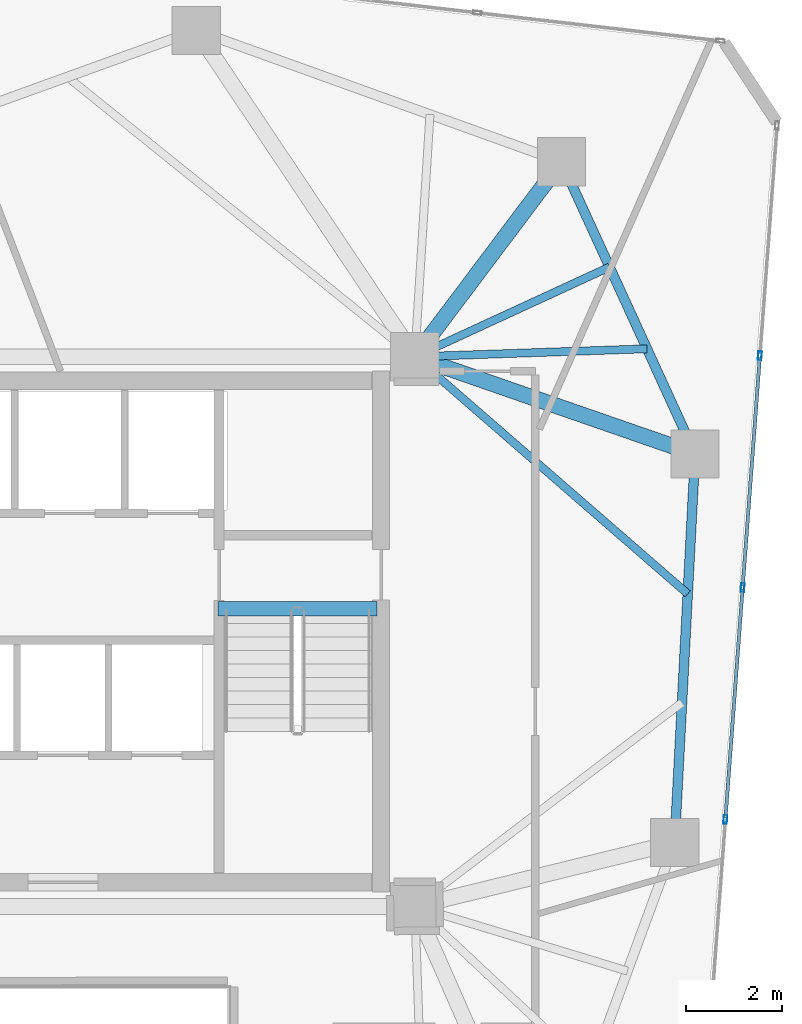
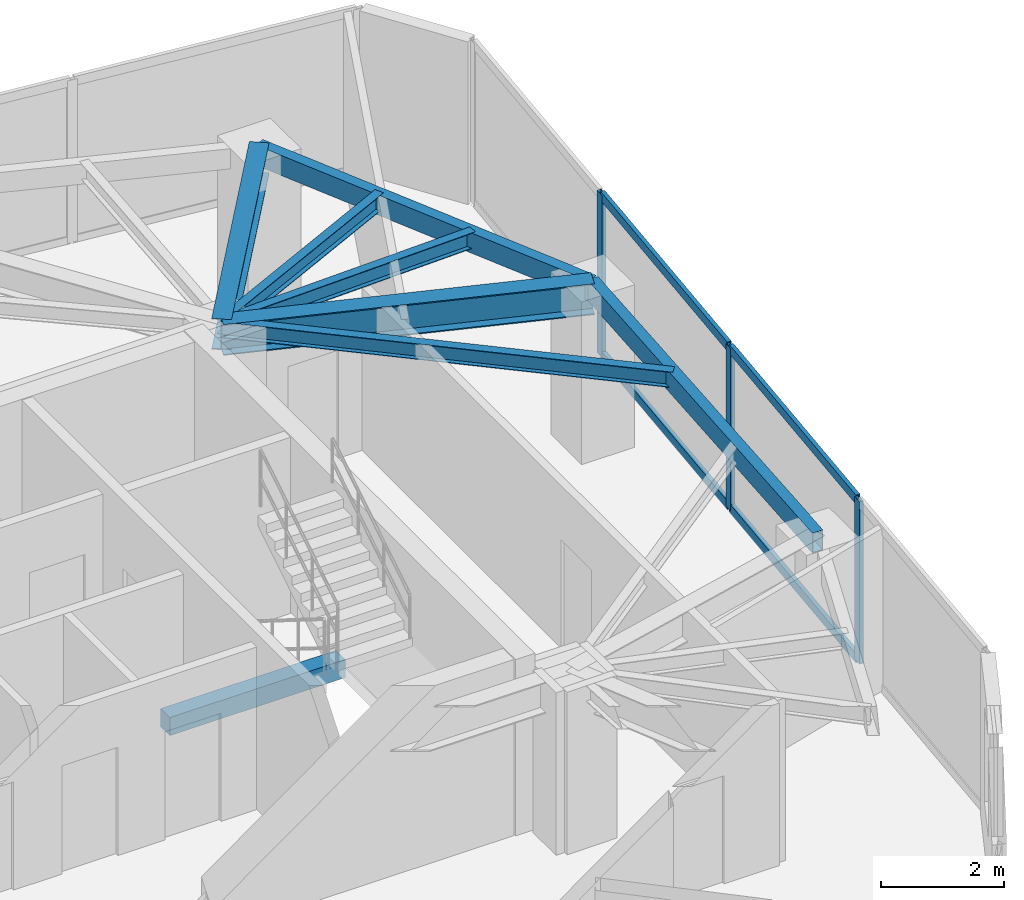
# One storey, part 11 of 19: 8 beams, 7 members, 1 element without a shape of its own.
"""IFC4 building model written with IfcOpenShell, lengths in metres."""

from ifc_helpers import new_model, si_unit, direction, frame, origin, origin_2d, place, context, subcontext, project, spatial, rectangle, hollow_rectangle, i_section, extrude, source, transform, mapped, material, layer, layer_set, material_profile, profile_set, type_object, type_shapes, element, aggregate, save


model = new_model("IFC4")

# Units and contexts
model_context = context("Model", 3, precision=1e-05, world=origin(), true_north=direction((0.0, 1.0)))
body_context = subcontext(model_context, "Body", "Model", "MODEL_VIEW")
ifc_project = project(units=[si_unit("LENGTHUNIT", "METRE"), si_unit("AREAUNIT", "SQUARE_METRE"), si_unit("VOLUMEUNIT", "CUBIC_METRE"), si_unit("PLANEANGLEUNIT", "RADIAN"), si_unit("MASSUNIT", "GRAM", prefix="KILO")], contexts=[model_context])

# Site, building, storey
site_placement = place(None, origin())
site = spatial("IfcSite", under=ifc_project, at=site_placement, CompositionType="ELEMENT")
building_placement = place(site_placement, origin())
building = spatial("IfcBuilding", under=site, at=building_placement, Name="Talar Marvaseh", CompositionType="ELEMENT")
storey_placement = place(building_placement, frame((0.0, 0.0, 222.199951171875)))
storey = spatial("IfcBuildingStorey", under=building, at=storey_placement, Name="L58", CompositionType="ELEMENT", Elevation=222.199951171875)

# Beams
ifc_material_1 = material(Name="Concrete C40/50", Category="concrete")
ifc_material_profile_1 = material_profile(ifc_material_1, rectangle(XDim=0.300048828125, YDim=0.360107421875, at=origin_2d()), Name="RC300x360")
ifc_profile_set_1 = profile_set([ifc_material_profile_1], Name="Concrete C40/50")
beam_type_1 = type_object("IfcBeamType", Name="Concrete Stair Landing Trimmer Beam RC300x360", PredefinedType="SPANDREL", material=ifc_profile_set_1)
beam_1_placement = place(storey_placement, frame((29.219970703125, 31.669921875, -0.179931640625), z_axis=(1.0, 0.0, 0.0), x_axis=(0.0, 1.0, 0.0)))
element("IfcBeam", 1, at=beam_1_placement, inside=storey, type_object=beam_type_1, Name="L58 ST-2 Stair Nosing Trimmer Beam", PredefinedType="SPANDREL", context=body_context, shape_type="SweptSolid", body=[
    extrude(rectangle(XDim=0.300048828125, YDim=0.360107421875, at=origin_2d()), origin(), (0.0, 0.0, 1.0), 3.300048828125),
])
ifc_material_2 = material(Name="Steel S355", Category="steel")
ifc_material_profile_2 = material_profile(ifc_material_2, hollow_rectangle(XDim=0.199951171875, YDim=0.39990234375, WallThickness=0.013916015625, at=origin_2d()), Name="RHS400x200x14")
ifc_profile_set_2 = profile_set([ifc_material_profile_2], Name="Steel S355")
beam_type_2 = type_object("IfcBeamType", Name="Zone 3 Perimeter Spandrel Beam RHS400x200x14", PredefinedType="SPANDREL", material=ifc_profile_set_2)
beam_2_placement = place(storey_placement, frame((36.341064453125, 40.94189453125, 3.030029296875), z_axis=(0.416090570719, -0.909323175202, 0.0), x_axis=(0.909323175202, 0.416090570719, 0.0)))
element("IfcBeam", 2, at=beam_2_placement, inside=storey, type_object=beam_type_2, Name="L58 Zone 3 Perimeter Spandrel Beam RHS400x200x14", PredefinedType="SPANDREL", context=body_context, shape_type="SweptSolid", body=[
    extrude(hollow_rectangle(XDim=0.199951171875, YDim=0.39990234375, WallThickness=0.013916015625, at=origin_2d()), origin(), (0.0, 0.0, 1.0), 6.661865234375),
])
beam_3_placement = place(storey_placement, frame((39.113037109375, 34.884033203125, 3.030029296875), z_axis=(-0.052541369293, -0.998618748328, 0.0), x_axis=(0.998618748328, -0.052541369293, 0.0)))
element("IfcBeam", 3, at=beam_3_placement, inside=storey, type_object=beam_type_2, Name="L58 Zone 3 Perimeter Spandrel Beam RHS400x200x14", PredefinedType="SPANDREL", context=body_context, shape_type="SweptSolid", body=[
    extrude(hollow_rectangle(XDim=0.199951171875, YDim=0.39990234375, WallThickness=0.013916015625, at=origin_2d()), origin(), (0.0, 0.0, 1.0), 8.0712890625),
])
ifc_material_profile_3 = material_profile(ifc_material_2, i_section(OverallWidth=0.324951171875, OverallDepth=0.615966796875, WebThickness=0.013916015625, FlangeThickness=0.021484375, at=origin_2d()), Name="W610x174")
ifc_profile_set_3 = profile_set([ifc_material_profile_3], Name="Steel S355")
beam_type_3 = type_object("IfcBeamType", Name="Zone 3 Radial Floor Girder W610x174", PredefinedType="BEAM", material=ifc_profile_set_3)
beam_4_placement = place(storey_placement, frame((36.341064453125, 40.94189453125, 2.922119140625), z_axis=(-0.601204044541, -0.799095549247, 0.0), x_axis=(0.799095549247, -0.601204044541, 0.0)))
element("IfcBeam", 4, at=beam_4_placement, inside=storey, type_object=beam_type_3, Name="L58 Zone 3 Radial Floor Girder W610x174", PredefinedType="BEAM", context=body_context, shape_type="SweptSolid", body=[
    extrude(i_section(OverallWidth=0.324951171875, OverallDepth=0.615966796875, WebThickness=0.013916015625, FlangeThickness=0.021484375, at=origin_2d()), origin(), (0.0, 0.0, 1.0), 5.05810546875),
])
beam_5_placement = place(storey_placement, frame((39.113037109375, 34.884033203125, 2.922119140625), z_axis=(-0.94480098975, 0.327644761544, 0.0), x_axis=(-0.327644761544, -0.94480098975, 0.0)))
element("IfcBeam", 5, at=beam_5_placement, inside=storey, type_object=beam_type_3, Name="L58 Zone 3 Radial Floor Girder W610x174", PredefinedType="BEAM", context=body_context, shape_type="SweptSolid", body=[
    extrude(i_section(OverallWidth=0.324951171875, OverallDepth=0.615966796875, WebThickness=0.013916015625, FlangeThickness=0.021484375, at=origin_2d()), origin(), (0.0, 0.0, 1.0), 6.152587890625),
])
ifc_material_profile_4 = material_profile(ifc_material_2, i_section(OverallWidth=0.166015625, OverallDepth=0.31298828125, WebThickness=0.006591796875, FlangeThickness=0.01123046875, at=origin_2d()), Name="W310x45")
ifc_profile_set_4 = profile_set([ifc_material_profile_4], Name="Steel S355")
beam_type_4 = type_object("IfcBeamType", Name="Zone 3 Secondary Floor Joist W310x45", PredefinedType="JOIST", material=ifc_profile_set_4)
beam_6_placement = place(storey_placement, frame((37.3388671875, 38.760986328125, 3.073486328125), z_axis=(-0.908214702737, -0.418504544458, 0.0), x_axis=(0.418504544458, -0.908214702737, 0.0)))
element("IfcBeam", 6, at=beam_6_placement, inside=storey, type_object=beam_type_4, Name="L58 Zone 3 Secondary Floor Joist W310x45", PredefinedType="JOIST", context=body_context, shape_type="SweptSolid", body=[
    extrude(i_section(OverallWidth=0.166015625, OverallDepth=0.31298828125, WebThickness=0.006591796875, FlangeThickness=0.01123046875, at=origin_2d()), origin(), (0.0, 0.0, 1.0), 4.447021484375),
])
beam_7_placement = place(storey_placement, frame((38.114990234375, 37.06494140625, 3.073486328125), z_axis=(-0.999413079861, -0.034256325017, 0.0), x_axis=(0.034256325017, -0.999413079861, 0.0)))
element("IfcBeam", 7, at=beam_7_placement, inside=storey, type_object=beam_type_4, Name="L58 Zone 3 Secondary Floor Joist W310x45", PredefinedType="JOIST", context=body_context, shape_type="SweptSolid", body=[
    extrude(i_section(OverallWidth=0.166015625, OverallDepth=0.31298828125, WebThickness=0.006591796875, FlangeThickness=0.01123046875, at=origin_2d()), origin(), (0.0, 0.0, 1.0), 4.81787109375),
])
beam_8_placement = place(storey_placement, frame((38.96044921875, 31.982421875, 3.073486328125), z_axis=(-0.754909663958, 0.655828788071, 0.0), x_axis=(-0.655828788071, -0.754909663958, 0.0)))
element("IfcBeam", 8, at=beam_8_placement, inside=storey, type_object=beam_type_4, Name="L58 Zone 3 Secondary Floor Joist W310x45", PredefinedType="JOIST", context=body_context, shape_type="SweptSolid", body=[
    extrude(i_section(OverallWidth=0.166015625, OverallDepth=0.31298828125, WebThickness=0.006591796875, FlangeThickness=0.01123046875, at=origin_2d()), origin(), (0.0, 0.0, 1.0), 7.498046875),
])

# Curtain wall, members
ifc_material_3 = material(Name="Architectural Aluminium", Category="aluminium")
ifc_layer = layer(ifc_material_3, 0.18994140625)
ifc_layer_set = layer_set([ifc_layer], Name="Architectural Aluminium")
curtain_wall_type = type_object("IfcCurtainWallType", Name="Unitised Solar Atelier Curtain Wall Z3", PredefinedType="NOTDEFINED", material=ifc_layer_set)
curtain_wall_placement = place(storey_placement, origin())
curtain_wall = element("IfcCurtainWall", 9, at=curtain_wall_placement, inside=storey, type_object=curtain_wall_type, Name="L58 Unitised Solar Atelier Curtain Wall Z3", PredefinedType="NOTDEFINED")
ifc_material_profile_5 = material_profile(ifc_material_3, hollow_rectangle(XDim=0.074951171875, YDim=0.179931640625, WallThickness=0.0048828125, at=origin_2d()), Name="RHS180x75x5")
ifc_profile_set_5 = profile_set([ifc_material_profile_5], Name="Architectural Aluminium")
member_type_1 = type_object("IfcMemberType", Name="Unitised Curtain Wall Standard Mullion RHS180x75x5", PredefinedType="MULLION", material=ifc_profile_set_5)
shared_shape_1 = source(origin(), body_context, "Body", "SweptSolid", [
    extrude(hollow_rectangle(XDim=0.074951171875, YDim=0.179931640625, WallThickness=0.0048828125, at=origin_2d()), origin(), (0.0, 0.0, 1.0), 3.22998046875),
])
type_shapes(member_type_1, [shared_shape_1])
member_1_placement = place(storey_placement, frame((40.456787109375, 36.921142578125, 0.0), z_axis=(0.0, 0.0, 1.0), x_axis=(0.997238678211, -0.074263171764, 0.0)))
member_1 = element("IfcMember", 10, at=member_1_placement, type_object=member_type_1, Name="CW-Z3 mullion 2", PredefinedType="MULLION", context=body_context, shape_type="MappedRepresentation", body=[
    mapped(shared_shape_1, transform((0.0, 0.0, 0.0), x_axis=(1.0, 0.0, 0.0), y_axis=(0.0, 1.0, 0.0), z_axis=(0.0, 0.0, 1.0), scale=1.0)),
])
member_2_placement = place(storey_placement, frame((40.0986328125, 32.112548828125, 0.0), z_axis=(0.0, 0.0, 1.0), x_axis=(0.997238678211, -0.074263171764, 0.0)))
member_2 = element("IfcMember", 11, at=member_2_placement, type_object=member_type_1, Name="CW-Z3 mullion 3", PredefinedType="MULLION", context=body_context, shape_type="MappedRepresentation", body=[
    mapped(shared_shape_1, transform((0.0, 0.0, 0.0), x_axis=(1.0, 0.0, 0.0), y_axis=(0.0, 1.0, 0.0), z_axis=(0.0, 0.0, 1.0), scale=1.0)),
])
member_3_placement = place(storey_placement, frame((39.740478515625, 27.3037109375, 0.0), z_axis=(0.0, 0.0, 1.0), x_axis=(0.997238678211, -0.074263171764, 0.0)))
member_3 = element("IfcMember", 12, at=member_3_placement, type_object=member_type_1, Name="CW-Z3 mullion 4", PredefinedType="MULLION", context=body_context, shape_type="MappedRepresentation", body=[
    mapped(shared_shape_1, transform((0.0, 0.0, 0.0), x_axis=(1.0, 0.0, 0.0), y_axis=(0.0, 1.0, 0.0), z_axis=(0.0, 0.0, 1.0), scale=1.0)),
])
ifc_material_profile_6 = material_profile(ifc_material_3, hollow_rectangle(XDim=0.074951171875, YDim=0.179931640625, WallThickness=0.0048828125, at=origin_2d()), Name="RHS180x75x5")
ifc_profile_set_6 = profile_set([ifc_material_profile_6], Name="Architectural Aluminium")
member_type_2 = type_object("IfcMemberType", Name="Unitised Curtain Wall Transom RHS180x75x5", PredefinedType="USERDEFINED", material=ifc_profile_set_6)
shared_shape_2 = source(origin(), body_context, "Body", "SweptSolid", [
    extrude(hollow_rectangle(XDim=0.074951171875, YDim=0.179931640625, WallThickness=0.0048828125, at=origin_2d()), origin(), (0.0, 0.0, 1.0), 4.7470703125),
])
type_shapes(member_type_2, [shared_shape_2])
member_4_placement = place(storey_placement, frame((40.453857421875, 36.8837890625, 0.03759765625), z_axis=(-0.074265723411, -0.997238488189, 0.0), x_axis=(0.997238488189, -0.074265723411, 0.0)))
member_4 = element("IfcMember", 13, at=member_4_placement, type_object=member_type_2, Name="CW-Z3 transom 2.1", ObjectType="TRANSOM", PredefinedType="USERDEFINED", context=body_context, shape_type="MappedRepresentation", body=[
    mapped(shared_shape_2, transform((0.0, 0.0, 0.0), x_axis=(1.0, 0.0, 0.0), y_axis=(0.0, 1.0, 0.0), z_axis=(0.0, 0.0, 1.0), scale=1.0)),
])
member_5_placement = place(storey_placement, frame((40.453857421875, 36.8837890625, 3.192626953125), z_axis=(-0.074265723411, -0.997238488189, 0.0), x_axis=(0.997238488189, -0.074265723411, 0.0)))
member_5 = element("IfcMember", 14, at=member_5_placement, type_object=member_type_2, Name="CW-Z3 transom 2.2", ObjectType="TRANSOM", PredefinedType="USERDEFINED", context=body_context, shape_type="MappedRepresentation", body=[
    mapped(shared_shape_2, transform((0.0, 0.0, 0.0), x_axis=(1.0, 0.0, 0.0), y_axis=(0.0, 1.0, 0.0), z_axis=(0.0, 0.0, 1.0), scale=1.0)),
])
member_6_placement = place(storey_placement, frame((40.095703125, 32.074951171875, 0.03759765625), z_axis=(-0.074265723411, -0.997238488189, 0.0), x_axis=(0.997238488189, -0.074265723411, 0.0)))
member_6 = element("IfcMember", 15, at=member_6_placement, type_object=member_type_2, Name="CW-Z3 transom 3.1", ObjectType="TRANSOM", PredefinedType="USERDEFINED", context=body_context, shape_type="MappedRepresentation", body=[
    mapped(shared_shape_2, transform((0.0, 0.0, 0.0), x_axis=(1.0, 0.0, 0.0), y_axis=(0.0, 1.0, 0.0), z_axis=(0.0, 0.0, 1.0), scale=1.0)),
])
member_7_placement = place(storey_placement, frame((40.095703125, 32.074951171875, 3.192626953125), z_axis=(-0.074265723411, -0.997238488189, 0.0), x_axis=(0.997238488189, -0.074265723411, 0.0)))
member_7 = element("IfcMember", 16, at=member_7_placement, type_object=member_type_2, Name="CW-Z3 transom 3.2", ObjectType="TRANSOM", PredefinedType="USERDEFINED", context=body_context, shape_type="MappedRepresentation", body=[
    mapped(shared_shape_2, transform((0.0, 0.0, 0.0), x_axis=(1.0, 0.0, 0.0), y_axis=(0.0, 1.0, 0.0), z_axis=(0.0, 0.0, 1.0), scale=1.0)),
])
aggregate(curtain_wall, [member_1, member_2, member_3, member_4, member_5, member_6, member_7])

save(model, "model.ifc")
